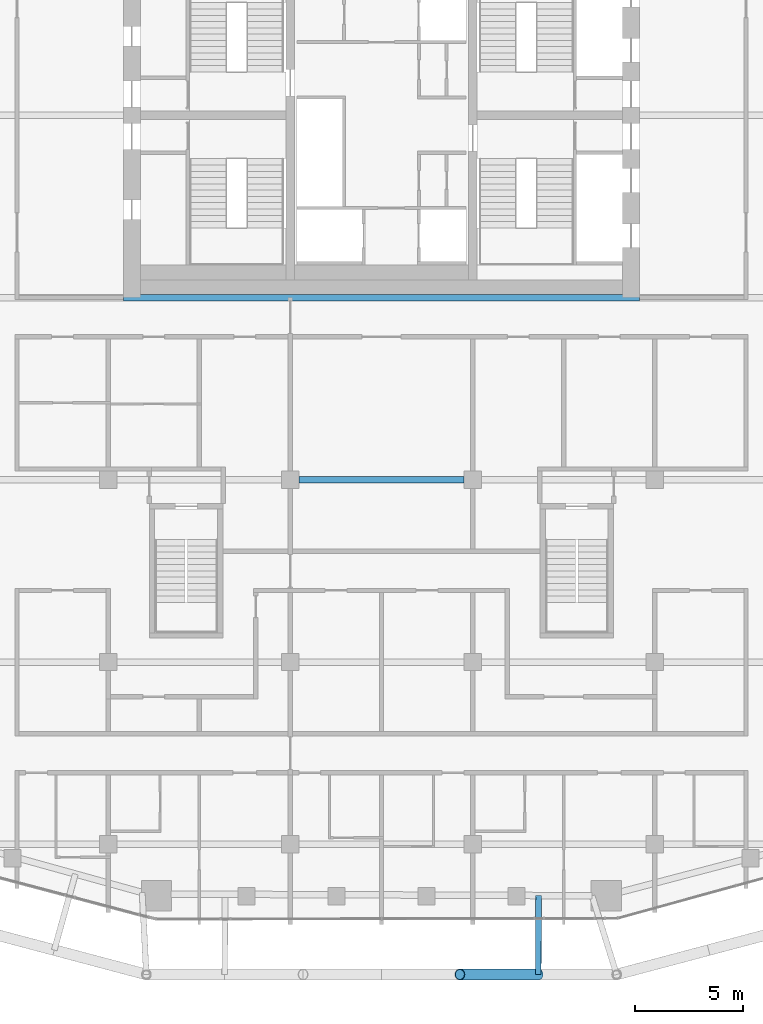
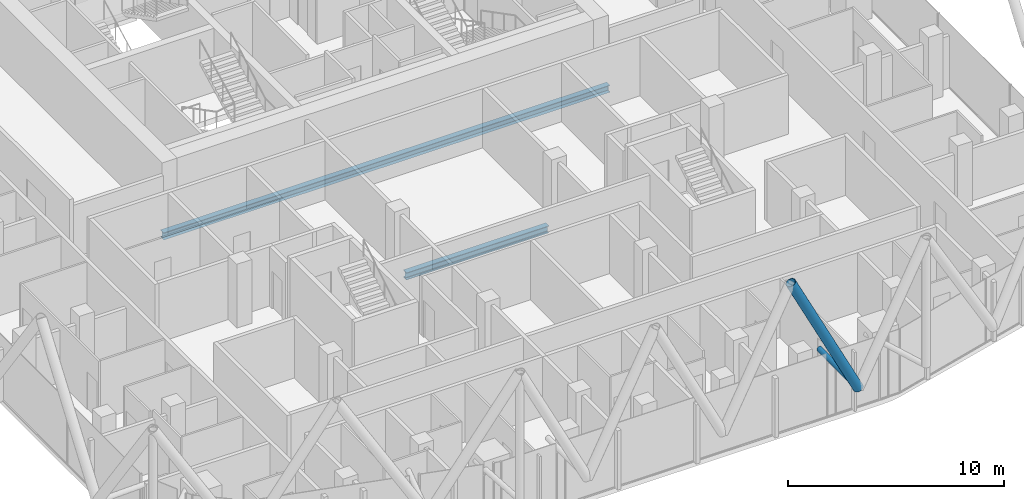
# One storey, part 5 of 31: 2 beams, 2 members.
"""IFC4 building model written with IfcOpenShell, lengths in metres."""

from ifc_helpers import new_model, si_unit, direction, frame, origin, origin_2d, place, context, subcontext, project, spatial, hollow_circle, i_section, extrude, material, material_profile, profile_set, type_object, element, save


model = new_model("IFC4")

# Units and contexts
model_context = context("Model", 3, precision=1e-05, world=origin(), true_north=direction((0.0, 1.0)))
body_context = subcontext(model_context, "Body", "Model", "MODEL_VIEW")
ifc_project = project(units=[si_unit("LENGTHUNIT", "METRE"), si_unit("AREAUNIT", "SQUARE_METRE"), si_unit("VOLUMEUNIT", "CUBIC_METRE"), si_unit("PLANEANGLEUNIT", "RADIAN"), si_unit("MASSUNIT", "GRAM", prefix="KILO")], contexts=[model_context])

# Site, building, storey
site_placement = place(None, origin())
site = spatial("IfcSite", under=ifc_project, at=site_placement, CompositionType="ELEMENT")
building_placement = place(site_placement, origin())
building = spatial("IfcBuilding", under=site, at=building_placement, Name="Marenta Gate Hotel Tower", CompositionType="ELEMENT")
storey_placement = place(building_placement, frame((0.0, 0.0, 234.5)))
storey = spatial("IfcBuildingStorey", under=building, at=storey_placement, Name="L55", CompositionType="ELEMENT", Elevation=234.5)

# Members
ifc_material_1 = material(Name="Steel S355J2W", Category="steel")
ifc_material_profile_1 = material_profile(ifc_material_1, hollow_circle(Radius=0.25390625, WallThickness=0.02490234375, at=origin_2d()), Name="CHS 508x25")
ifc_profile_set_1 = profile_set([ifc_material_profile_1], Name="Steel S355J2W")
member_type_1 = type_object("IfcMemberType", Name="Diagrid diagonal Z3 CHS 508x25", PredefinedType="BRACE", material=ifc_profile_set_1)
member_1_placement = place(storey_placement, frame((7.22607421875, -31.199951171875, 3.139892578125), z_axis=(-0.44849810728, 0.0, 0.893783781329), x_axis=(0.0, -1.0, 0.0)))
element("IfcMember", 1, at=member_1_placement, inside=storey, type_object=member_type_1, Name="L55-DG-16", PredefinedType="BRACE", context=body_context, shape_type="SweptSolid", body=[
    extrude(hollow_circle(Radius=0.25390625, WallThickness=0.02490234375, at=origin_2d()), origin(), (0.0, 0.0, 1.0), 8.055908203125),
])
ifc_material_2 = material(Name="Steel S355J2W", Category="steel")
ifc_material_profile_2 = material_profile(ifc_material_2, hollow_circle(Radius=0.136474609375, WallThickness=0.012451171875, at=origin_2d()), Name="CHS 273x12.5")
ifc_profile_set_2 = profile_set([ifc_material_profile_2], Name="Steel S355J2W")
member_type_2 = type_object("IfcMemberType", Name="Floor tie CHS 273x12.5", PredefinedType="STRUT", material=ifc_profile_set_2)
member_2_placement = place(storey_placement, frame((7.22607421875, -31.199951171875, 3.139892578125), z_axis=(0.003830102265, 0.999992665131, 0.0), x_axis=(-0.999992665131, 0.003830102265, 0.0)))
element("IfcMember", 2, at=member_2_placement, inside=storey, type_object=member_type_2, Name="L55-DR-14", PredefinedType="STRUT", context=body_context, shape_type="SweptSolid", body=[
    extrude(hollow_circle(Radius=0.136474609375, WallThickness=0.012451171875, at=origin_2d()), origin(), (0.0, 0.0, 1.0), 3.63330078125),
])

# Beams
ifc_material_3 = material(Name="Steel S355", Category="steel")
ifc_material_profile_3 = material_profile(ifc_material_3, i_section(OverallWidth=0.300048828125, OverallDepth=0.39990234375, WebThickness=0.013427734375, FlangeThickness=0.02392578125, FilletRadius=0.027099609375, at=origin_2d()), Name="HEB 400")
ifc_profile_set_3 = profile_set([ifc_material_profile_3], Name="Steel S355")
beam_type = type_object("IfcBeamType", Name="Girder HEB 400", PredefinedType="BEAM", material=ifc_profile_set_3)
beam_1_placement = place(storey_placement, frame((-3.800048828125, -8.39990234375, -0.4599609375), z_axis=(1.0, 0.0, 0.0), x_axis=(0.0, 1.0, 0.0)))
element("IfcBeam", 3, at=beam_1_placement, inside=storey, type_object=beam_type, Name="L55-GD-16", PredefinedType="BEAM", context=body_context, shape_type="SweptSolid", body=[
    extrude(i_section(OverallWidth=0.300048828125, OverallDepth=0.39990234375, WebThickness=0.013427734375, FlangeThickness=0.02392578125, FilletRadius=0.027099609375, at=origin_2d()), origin(), (0.0, 0.0, 1.0), 7.60009765625),
])
beam_2_placement = place(storey_placement, frame((-11.89990234375, 0.0, -0.4599609375), z_axis=(1.0, 0.0, 0.0), x_axis=(0.0, 1.0, 0.0)))
element("IfcBeam", 4, at=beam_2_placement, inside=storey, type_object=beam_type, Name="L55-GD-22", PredefinedType="BEAM", context=body_context, shape_type="SweptSolid", body=[
    extrude(i_section(OverallWidth=0.300048828125, OverallDepth=0.39990234375, WebThickness=0.013427734375, FlangeThickness=0.02392578125, FilletRadius=0.027099609375, at=origin_2d()), origin(), (0.0, 0.0, 1.0), 23.7998046875),
])

save(model, "model.ifc")
